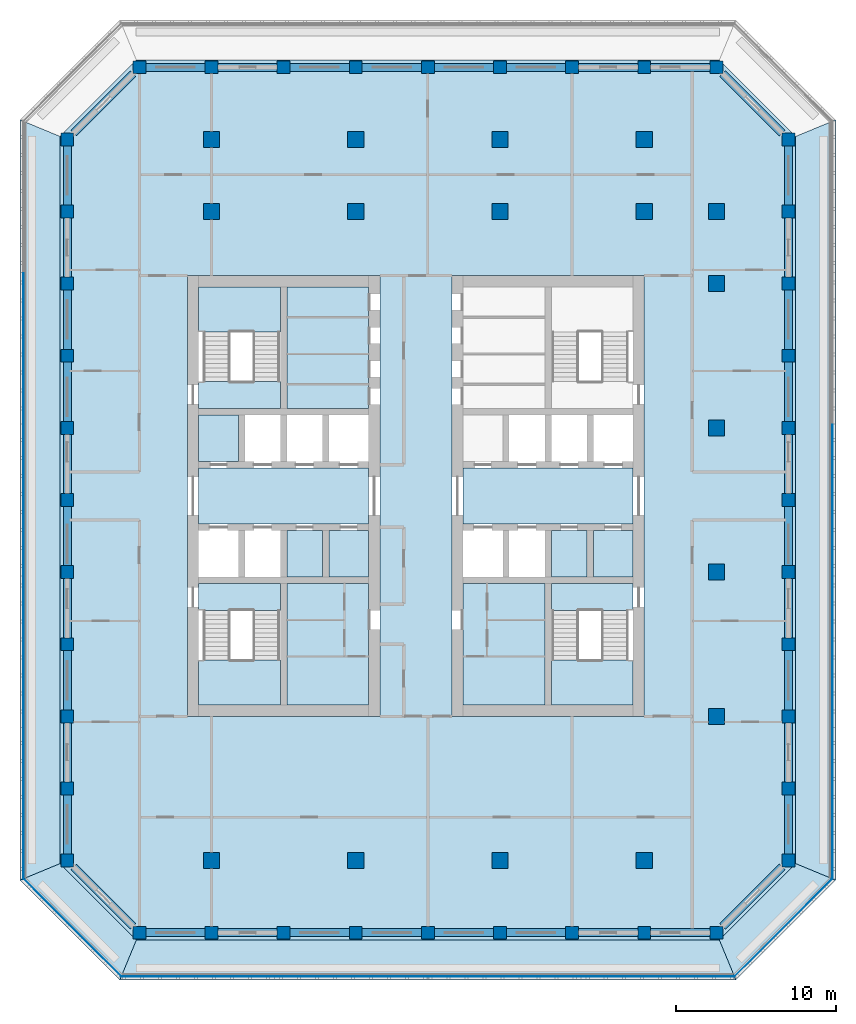
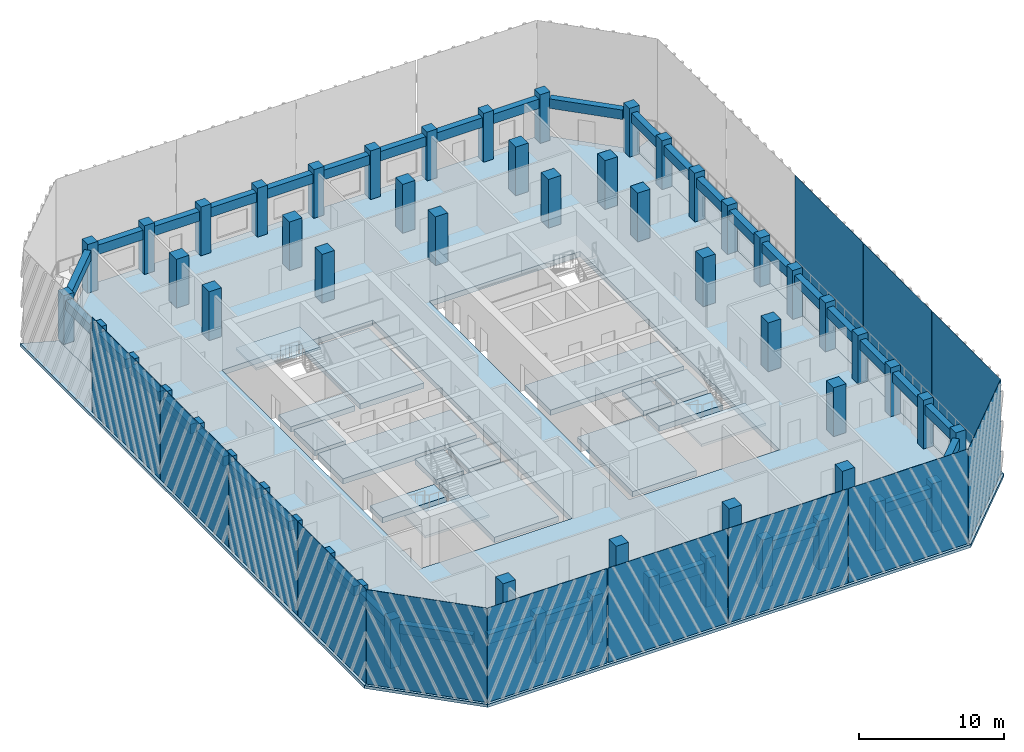
# One storey, part 1 of 17: 57 columns, 40 beams, 22 slabs, 13 plates, 3 elements without a shape of their own.
"""IFC4 building model written with IfcOpenShell, lengths in metres."""

from ifc_helpers import new_model, si_unit, direction, frame, origin, origin_2d, place, context, subcontext, project, spatial, polyline, rectangle, outline, extrude, material, layer, layer_set, material_profile, profile_set, type_object, element, aggregate, save


model = new_model("IFC4")

# Units and contexts
model_context = context("Model", 3, precision=1e-05, world=origin(), true_north=direction((0.0, 1.0)))
body_context = subcontext(model_context, "Body", "Model", "MODEL_VIEW")
ifc_project = project(units=[si_unit("LENGTHUNIT", "METRE"), si_unit("AREAUNIT", "SQUARE_METRE"), si_unit("VOLUMEUNIT", "CUBIC_METRE"), si_unit("PLANEANGLEUNIT", "RADIAN"), si_unit("MASSUNIT", "GRAM", prefix="KILO")], contexts=[model_context])

# Site, building, storey
site_placement = place(None, origin())
site = spatial("IfcSite", under=ifc_project, at=site_placement, CompositionType="ELEMENT")
building_placement = place(site_placement, origin())
building = spatial("IfcBuilding", under=site, at=building_placement, Name="Corbel Stack Research Tower", CompositionType="ELEMENT")
storey_placement = place(building_placement, frame((0.0, 0.0, 239.800048828125)))
storey = spatial("IfcBuildingStorey", under=building, at=storey_placement, Name="L54", CompositionType="ELEMENT", Elevation=239.800048828125)

# Columns
ifc_material_1 = material(Name="Concrete C60/75", Category="concrete")
ifc_material_profile_1 = material_profile(ifc_material_1, rectangle(XDim=1.0, YDim=1.0, at=origin_2d()), Name="RC 1000 x 1000")
ifc_profile_set_1 = profile_set([ifc_material_profile_1], Name="Concrete C60/75")
column_type_1 = type_object("IfcColumnType", Name="C-1000-60", PredefinedType="COLUMN", material=ifc_profile_set_1)
for number, where, z_axis, x_axis, name in (
    (1, (-9.0, -18.0, 0.0), (0.0, 0.0, 1.0), (1.0, 0.0, 0.0), "Column 6/D L54"),
    (2, (-9.0, 22.5, 0.0), (0.0, 0.0, 1.0), (1.0, 0.0, 0.0), "Column 6/N L54"),
    (3, (-9.0, 27.0, 0.0), (0.0, 0.0, 1.0), (1.0, 0.0, 0.0), "Column 6/P L54"),
    (4, (0.0, -18.0, 0.0), (0.0, 0.0, 1.0), (1.0, 0.0, 0.0), "Column 8/D L54"),
    (5, (0.0, 22.5, 0.0), (0.0, 0.0, 1.0), (1.0, 0.0, 0.0), "Column 8/N L54"),
    (6, (0.0, 27.0, 0.0), (0.0, 0.0, 1.0), (1.0, 0.0, 0.0), "Column 8/P L54"),
    (7, (9.0, -18.0, 0.0), (0.0, 0.0, 1.0), (1.0, 0.0, 0.0), "Column 10/D L54"),
    (8, (9.0, 22.5, 0.0), (0.0, 0.0, 1.0), (1.0, 0.0, 0.0), "Column 10/N L54"),
    (9, (9.0, 27.0, 0.0), (0.0, 0.0, 1.0), (1.0, 0.0, 0.0), "Column 10/P L54"),
    (10, (18.0, -18.0, 0.0), (0.0, 0.0, 1.0), (1.0, 0.0, 0.0), "Column 12/D L54"),
    (11, (18.0, 22.5, 0.0), (0.0, 0.0, 1.0), (1.0, 0.0, 0.0), "Column 12/N L54"),
    (12, (18.0, 27.0, 0.0), (0.0, 0.0, 1.0), (1.0, 0.0, 0.0), "Column 12/P L54"),
    (13, (22.5, -9.0, 0.0), (0.0, 0.0, 1.0), (1.0, 0.0, 0.0), "Column 13/F L54"),
    (14, (22.5, 0.0, 0.0), (0.0, 0.0, 1.0), (1.0, 0.0, 0.0), "Column 13/H L54"),
    (15, (22.5, 9.0, 0.0), (0.0, 0.0, 1.0), (1.0, 0.0, 0.0), "Column 13/K L54"),
    (16, (22.5, 18.0, 0.0), (0.0, 0.0, 1.0), (1.0, 0.0, 0.0), "Column 13/M L54"),
    (17, (22.5, 22.5, 0.0), (0.0, 0.0, 1.0), (1.0, 0.0, 0.0), "Column 13/N L54"),
):
    element("IfcColumn", number, at=place(storey_placement, frame(where, z_axis=z_axis, x_axis=x_axis)), inside=storey, type_object=column_type_1, Name=name, PredefinedType="COLUMN", context=body_context, shape_type="SweptSolid", body=[
        extrude(rectangle(XDim=1.0, YDim=1.0, at=origin_2d()), origin(), (0.0, 0.0, 1.0), 4.099853515625),
    ])
ifc_material_2 = material(Name="Concrete C60/75", Category="concrete")
ifc_material_profile_2 = material_profile(ifc_material_2, rectangle(XDim=0.800048828125, YDim=0.800048828125, at=origin_2d()), Name="RC 800 x 800")
ifc_profile_set_2 = profile_set([ifc_material_profile_2], Name="Concrete C60/75")
column_type_2 = type_object("IfcColumnType", Name="C-800-60", PredefinedType="COLUMN", material=ifc_profile_set_2)
for number, where, z_axis, x_axis, name in (
    (18, (-18.0, -18.0, 0.0), (0.0, 0.0, 1.0), (1.0, 0.0, 0.0), "Column 4/D L54"),
    (19, (-18.0, -13.5, 0.0), (0.0, 0.0, 1.0), (1.0, 0.0, 0.0), "Column 4/E L54"),
    (20, (-18.0, -9.0, 0.0), (0.0, 0.0, 1.0), (1.0, 0.0, 0.0), "Column 4/F L54"),
    (21, (-18.0, -4.5, 0.0), (0.0, 0.0, 1.0), (1.0, 0.0, 0.0), "Column 4/G L54"),
    (22, (-18.0, 0.0, 0.0), (0.0, 0.0, 1.0), (1.0, 0.0, 0.0), "Column 4/H L54"),
    (23, (-18.0, 4.5, 0.0), (0.0, 0.0, 1.0), (1.0, 0.0, 0.0), "Column 4/J L54"),
    (24, (-18.0, 9.0, 0.0), (0.0, 0.0, 1.0), (1.0, 0.0, 0.0), "Column 4/K L54"),
    (25, (-18.0, 13.5, 0.0), (0.0, 0.0, 1.0), (1.0, 0.0, 0.0), "Column 4/L L54"),
    (26, (-18.0, 18.0, 0.0), (0.0, 0.0, 1.0), (1.0, 0.0, 0.0), "Column 4/M L54"),
    (27, (-18.0, 22.5, 0.0), (0.0, 0.0, 1.0), (1.0, 0.0, 0.0), "Column 4/N L54"),
    (28, (-18.0, 27.0, 0.0), (0.0, 0.0, 1.0), (1.0, 0.0, 0.0), "Column 4/P L54"),
    (29, (-13.5, -22.5, 0.0), (0.0, 0.0, 1.0), (1.0, 0.0, 0.0), "Column 5/C L54"),
    (30, (-13.5, 31.5, 0.0), (0.0, 0.0, 1.0), (1.0, 0.0, 0.0), "Column 5/Q L54"),
    (31, (-9.0, -22.5, 0.0), (0.0, 0.0, 1.0), (1.0, 0.0, 0.0), "Column 6/C L54"),
    (32, (-9.0, 31.5, 0.0), (0.0, 0.0, 1.0), (1.0, 0.0, 0.0), "Column 6/Q L54"),
    (33, (-4.5, -22.5, 0.0), (0.0, 0.0, 1.0), (1.0, 0.0, 0.0), "Column 7/C L54"),
    (34, (-4.5, 31.5, 0.0), (0.0, 0.0, 1.0), (1.0, 0.0, 0.0), "Column 7/Q L54"),
    (35, (0.0, -22.5, 0.0), (0.0, 0.0, 1.0), (1.0, 0.0, 0.0), "Column 8/C L54"),
    (36, (0.0, 31.5, 0.0), (0.0, 0.0, 1.0), (1.0, 0.0, 0.0), "Column 8/Q L54"),
    (37, (4.5, -22.5, 0.0), (0.0, 0.0, 1.0), (1.0, 0.0, 0.0), "Column 9/C L54"),
    (38, (4.5, 31.5, 0.0), (0.0, 0.0, 1.0), (1.0, 0.0, 0.0), "Column 9/Q L54"),
    (39, (9.0, -22.5, 0.0), (0.0, 0.0, 1.0), (1.0, 0.0, 0.0), "Column 10/C L54"),
    (40, (9.0, 31.5, 0.0), (0.0, 0.0, 1.0), (1.0, 0.0, 0.0), "Column 10/Q L54"),
    (41, (13.5, -22.5, 0.0), (0.0, 0.0, 1.0), (1.0, 0.0, 0.0), "Column 11/C L54"),
    (42, (13.5, 31.5, 0.0), (0.0, 0.0, 1.0), (1.0, 0.0, 0.0), "Column 11/Q L54"),
    (43, (18.0, -22.5, 0.0), (0.0, 0.0, 1.0), (1.0, 0.0, 0.0), "Column 12/C L54"),
    (44, (18.0, 31.5, 0.0), (0.0, 0.0, 1.0), (1.0, 0.0, 0.0), "Column 12/Q L54"),
    (45, (22.5, -22.5, 0.0), (0.0, 0.0, 1.0), (1.0, 0.0, 0.0), "Column 13/C L54"),
    (46, (22.5, 31.5, 0.0), (0.0, 0.0, 1.0), (1.0, 0.0, 0.0), "Column 13/Q L54"),
    (47, (27.0, -18.0, 0.0), (0.0, 0.0, 1.0), (1.0, 0.0, 0.0), "Column 14/D L54"),
    (48, (27.0, -13.5, 0.0), (0.0, 0.0, 1.0), (1.0, 0.0, 0.0), "Column 14/E L54"),
    (49, (27.0, -9.0, 0.0), (0.0, 0.0, 1.0), (1.0, 0.0, 0.0), "Column 14/F L54"),
    (50, (27.0, -4.5, 0.0), (0.0, 0.0, 1.0), (1.0, 0.0, 0.0), "Column 14/G L54"),
    (51, (27.0, 0.0, 0.0), (0.0, 0.0, 1.0), (1.0, 0.0, 0.0), "Column 14/H L54"),
    (52, (27.0, 4.5, 0.0), (0.0, 0.0, 1.0), (1.0, 0.0, 0.0), "Column 14/J L54"),
    (53, (27.0, 9.0, 0.0), (0.0, 0.0, 1.0), (1.0, 0.0, 0.0), "Column 14/K L54"),
    (54, (27.0, 13.5, 0.0), (0.0, 0.0, 1.0), (1.0, 0.0, 0.0), "Column 14/L L54"),
    (55, (27.0, 18.0, 0.0), (0.0, 0.0, 1.0), (1.0, 0.0, 0.0), "Column 14/M L54"),
    (56, (27.0, 22.5, 0.0), (0.0, 0.0, 1.0), (1.0, 0.0, 0.0), "Column 14/N L54"),
    (57, (27.0, 27.0, 0.0), (0.0, 0.0, 1.0), (1.0, 0.0, 0.0), "Column 14/P L54"),
):
    element("IfcColumn", number, at=place(storey_placement, frame(where, z_axis=z_axis, x_axis=x_axis)), inside=storey, type_object=column_type_2, Name=name, PredefinedType="COLUMN", context=body_context, shape_type="SweptSolid", body=[
        extrude(rectangle(XDim=0.800048828125, YDim=0.800048828125, at=origin_2d()), origin(), (0.0, 0.0, 1.0), 4.099853515625),
    ])

# Beams
ifc_material_3 = material(Name="Concrete C60/75", Category="concrete")
ifc_material_profile_3 = material_profile(ifc_material_3, rectangle(XDim=0.5, YDim=0.800048828125, at=origin_2d()), Name="RC 500 x 800")
ifc_profile_set_3 = profile_set([ifc_material_profile_3], Name="Concrete C60/75")
beam_type = type_object("IfcBeamType", Name="SB-500-800-450", PredefinedType="SPANDREL", material=ifc_profile_set_3)
for number, where, z_axis, x_axis, name in (
    (58, (-13.10009765625, -22.5, 3.25), (1.0, 0.0, 0.0), (0.0, 1.0, 0.0), "Spandrel beam L54-01"),
    (59, (-8.60009765625, -22.5, 3.25), (1.0, 0.0, 0.0), (0.0, 1.0, 0.0), "Spandrel beam L54-02"),
    (60, (-4.10009765625, -22.5, 3.25), (1.0, 0.0, 0.0), (0.0, 1.0, 0.0), "Spandrel beam L54-03"),
    (61, (0.39990234375, -22.5, 3.25), (1.0, 0.0, 0.0), (0.0, 1.0, 0.0), "Spandrel beam L54-04"),
    (62, (4.89990234375, -22.5, 3.25), (1.0, 0.0, 0.0), (0.0, 1.0, 0.0), "Spandrel beam L54-05"),
    (63, (9.39990234375, -22.5, 3.25), (1.0, 0.0, 0.0), (0.0, 1.0, 0.0), "Spandrel beam L54-06"),
    (64, (13.89990234375, -22.5, 3.25), (1.0, 0.0, 0.0), (0.0, 1.0, 0.0), "Spandrel beam L54-07"),
    (65, (18.39990234375, -22.5, 3.25), (1.0, 0.0, 0.0), (0.0, 1.0, 0.0), "Spandrel beam L54-08"),
):
    element("IfcBeam", number, at=place(storey_placement, frame(where, z_axis=z_axis, x_axis=x_axis)), inside=storey, type_object=beam_type, Name=name, PredefinedType="SPANDREL", context=body_context, shape_type="SweptSolid", body=[
        extrude(rectangle(XDim=0.5, YDim=0.800048828125, at=origin_2d()), origin(), (0.0, 0.0, 1.0), 3.7001953125),
    ])
beam_1_placement = place(storey_placement, frame((22.89990234375, -22.10009765625, 3.25), z_axis=(0.707106781187, 0.707106781187, 0.0), x_axis=(-0.707106781187, 0.707106781187, 0.0)))
element("IfcBeam", 66, at=beam_1_placement, inside=storey, type_object=beam_type, Name="Spandrel beam L54-09", PredefinedType="SPANDREL", context=body_context, shape_type="SweptSolid", body=[
    extrude(rectangle(XDim=0.5, YDim=0.800048828125, at=origin_2d()), origin(), (0.0, 0.0, 1.0), 5.23291015625),
])
for number, where, z_axis, x_axis, name in (
    (67, (27.0, -17.60009765625, 3.25), (0.0, 1.0, 0.0), (-1.0, 0.0, 0.0), "Spandrel beam L54-10"),
    (68, (27.0, -13.10009765625, 3.25), (0.0, 1.0, 0.0), (-1.0, 0.0, 0.0), "Spandrel beam L54-11"),
    (69, (27.0, -8.60009765625, 3.25), (0.0, 1.0, 0.0), (-1.0, 0.0, 0.0), "Spandrel beam L54-12"),
    (70, (27.0, -4.10009765625, 3.25), (0.0, 1.0, 0.0), (-1.0, 0.0, 0.0), "Spandrel beam L54-13"),
    (71, (27.0, 0.39990234375, 3.25), (0.0, 1.0, 0.0), (-1.0, 0.0, 0.0), "Spandrel beam L54-14"),
    (72, (27.0, 4.89990234375, 3.25), (0.0, 1.0, 0.0), (-1.0, 0.0, 0.0), "Spandrel beam L54-15"),
    (73, (27.0, 9.39990234375, 3.25), (0.0, 1.0, 0.0), (-1.0, 0.0, 0.0), "Spandrel beam L54-16"),
    (74, (27.0, 13.89990234375, 3.25), (0.0, 1.0, 0.0), (-1.0, 0.0, 0.0), "Spandrel beam L54-17"),
    (75, (27.0, 18.39990234375, 3.25), (0.0, 1.0, 0.0), (-1.0, 0.0, 0.0), "Spandrel beam L54-18"),
    (76, (27.0, 22.89990234375, 3.25), (0.0, 1.0, 0.0), (-1.0, 0.0, 0.0), "Spandrel beam L54-19"),
):
    element("IfcBeam", number, at=place(storey_placement, frame(where, z_axis=z_axis, x_axis=x_axis)), inside=storey, type_object=beam_type, Name=name, PredefinedType="SPANDREL", context=body_context, shape_type="SweptSolid", body=[
        extrude(rectangle(XDim=0.5, YDim=0.800048828125, at=origin_2d()), origin(), (0.0, 0.0, 1.0), 3.7001953125),
    ])
beam_2_placement = place(storey_placement, frame((26.60009765625, 27.39990234375, 3.25), z_axis=(-0.707106781187, 0.707106781187, 0.0), x_axis=(-0.707106781187, -0.707106781187, 0.0)))
element("IfcBeam", 77, at=beam_2_placement, inside=storey, type_object=beam_type, Name="Spandrel beam L54-20", PredefinedType="SPANDREL", context=body_context, shape_type="SweptSolid", body=[
    extrude(rectangle(XDim=0.5, YDim=0.800048828125, at=origin_2d()), origin(), (0.0, 0.0, 1.0), 5.23291015625),
])
for number, where, z_axis, x_axis, name in (
    (78, (22.10009765625, 31.5, 3.25), (-1.0, 0.0, 0.0), (0.0, -1.0, 0.0), "Spandrel beam L54-21"),
    (79, (17.60009765625, 31.5, 3.25), (-1.0, 0.0, 0.0), (0.0, -1.0, 0.0), "Spandrel beam L54-22"),
    (80, (13.10009765625, 31.5, 3.25), (-1.0, 0.0, 0.0), (0.0, -1.0, 0.0), "Spandrel beam L54-23"),
    (81, (8.60009765625, 31.5, 3.25), (-1.0, 0.0, 0.0), (0.0, -1.0, 0.0), "Spandrel beam L54-24"),
    (82, (4.10009765625, 31.5, 3.25), (-1.0, 0.0, 0.0), (0.0, -1.0, 0.0), "Spandrel beam L54-25"),
    (83, (-0.39990234375, 31.5, 3.25), (-1.0, 0.0, 0.0), (0.0, -1.0, 0.0), "Spandrel beam L54-26"),
    (84, (-4.89990234375, 31.5, 3.25), (-1.0, 0.0, 0.0), (0.0, -1.0, 0.0), "Spandrel beam L54-27"),
    (85, (-9.39990234375, 31.5, 3.25), (-1.0, 0.0, 0.0), (0.0, -1.0, 0.0), "Spandrel beam L54-28"),
):
    element("IfcBeam", number, at=place(storey_placement, frame(where, z_axis=z_axis, x_axis=x_axis)), inside=storey, type_object=beam_type, Name=name, PredefinedType="SPANDREL", context=body_context, shape_type="SweptSolid", body=[
        extrude(rectangle(XDim=0.5, YDim=0.800048828125, at=origin_2d()), origin(), (0.0, 0.0, 1.0), 3.7001953125),
    ])
beam_3_placement = place(storey_placement, frame((-13.89990234375, 31.10009765625, 3.25), z_axis=(-0.707106781187, -0.707106781187, 0.0), x_axis=(0.707106781187, -0.707106781187, 0.0)))
element("IfcBeam", 86, at=beam_3_placement, inside=storey, type_object=beam_type, Name="Spandrel beam L54-29", PredefinedType="SPANDREL", context=body_context, shape_type="SweptSolid", body=[
    extrude(rectangle(XDim=0.5, YDim=0.800048828125, at=origin_2d()), origin(), (0.0, 0.0, 1.0), 5.23291015625),
])
for number, where, z_axis, x_axis, name in (
    (87, (-18.0, 26.60009765625, 3.25), (0.0, -1.0, 0.0), (1.0, 0.0, 0.0), "Spandrel beam L54-30"),
    (88, (-18.0, 22.10009765625, 3.25), (0.0, -1.0, 0.0), (1.0, 0.0, 0.0), "Spandrel beam L54-31"),
    (89, (-18.0, 17.60009765625, 3.25), (0.0, -1.0, 0.0), (1.0, 0.0, 0.0), "Spandrel beam L54-32"),
    (90, (-18.0, 13.10009765625, 3.25), (0.0, -1.0, 0.0), (1.0, 0.0, 0.0), "Spandrel beam L54-33"),
    (91, (-18.0, 8.60009765625, 3.25), (0.0, -1.0, 0.0), (1.0, 0.0, 0.0), "Spandrel beam L54-34"),
    (92, (-18.0, 4.10009765625, 3.25), (0.0, -1.0, 0.0), (1.0, 0.0, 0.0), "Spandrel beam L54-35"),
    (93, (-18.0, -0.39990234375, 3.25), (0.0, -1.0, 0.0), (1.0, 0.0, 0.0), "Spandrel beam L54-36"),
    (94, (-18.0, -4.89990234375, 3.25), (0.0, -1.0, 0.0), (1.0, 0.0, 0.0), "Spandrel beam L54-37"),
    (95, (-18.0, -9.39990234375, 3.25), (0.0, -1.0, 0.0), (1.0, 0.0, 0.0), "Spandrel beam L54-38"),
    (96, (-18.0, -13.89990234375, 3.25), (0.0, -1.0, 0.0), (1.0, 0.0, 0.0), "Spandrel beam L54-39"),
):
    element("IfcBeam", number, at=place(storey_placement, frame(where, z_axis=z_axis, x_axis=x_axis)), inside=storey, type_object=beam_type, Name=name, PredefinedType="SPANDREL", context=body_context, shape_type="SweptSolid", body=[
        extrude(rectangle(XDim=0.5, YDim=0.800048828125, at=origin_2d()), origin(), (0.0, 0.0, 1.0), 3.7001953125),
    ])
beam_4_placement = place(storey_placement, frame((-17.60009765625, -18.39990234375, 3.25), z_axis=(0.707106781187, -0.707106781187, 0.0), x_axis=(0.707106781187, 0.707106781187, 0.0)))
element("IfcBeam", 97, at=beam_4_placement, inside=storey, type_object=beam_type, Name="Spandrel beam L54-40", PredefinedType="SPANDREL", context=body_context, shape_type="SweptSolid", body=[
    extrude(rectangle(XDim=0.5, YDim=0.800048828125, at=origin_2d()), origin(), (0.0, 0.0, 1.0), 5.23291015625),
])

# Plates
ifc_material_4 = material(Name="Fritted glass", Category="glass")
ifc_layer_1 = layer(ifc_material_4, 0.02490234375)
ifc_layer_set_1 = layer_set([ifc_layer_1], Name="Fritted glass")
plate_type = type_object("IfcPlateType", Name="Fritted glass panel 25", PredefinedType="SHEET", material=ifc_layer_set_1)
for number, where, z_axis, x_axis, name in (
    (98, (-9.854248046875, -25.237548828125, 0.0), (0.0, 0.0, 1.0), (1.0, 0.0, 0.0), "Fritted glass L54 S1"),
    (99, (-0.284912109375, -25.237548828125, 0.0), (0.0, 0.0, 1.0), (1.0, 0.0, 0.0), "Fritted glass L54 S2"),
    (100, (9.284912109375, -25.237548828125, 0.0), (0.0, 0.0, 1.0), (1.0, 0.0, 0.0), "Fritted glass L54 S3"),
    (101, (18.854248046875, -25.237548828125, 0.0), (0.0, 0.0, 1.0), (1.0, 0.0, 0.0), "Fritted glass L54 S4"),
):
    element("IfcPlate", number, at=place(storey_placement, frame(where, z_axis=z_axis, x_axis=x_axis)), inside=storey, type_object=plate_type, Name=name, PredefinedType="SHEET", context=body_context, shape_type="SweptSolid", body=[
        extrude(rectangle(XDim=9.509521484375, YDim=0.02490234375, at=origin_2d()), origin(), (0.0, 0.0, 1.0), 7.949951171875),
    ])
plate_1_placement = place(storey_placement, frame((26.685791015625, -22.185791015625, 0.0), z_axis=(0.0, 0.0, 1.0), x_axis=(0.707106781187, 0.707106781187, 0.0)))
element("IfcPlate", 102, at=plate_1_placement, inside=storey, type_object=plate_type, Name="Fritted glass L54 SE1", PredefinedType="SHEET", context=body_context, shape_type="SweptSolid", body=[
    extrude(rectangle(XDim=8.58203125, YDim=0.02490234375, at=origin_2d()), origin(), (0.0, 0.0, 1.0), 7.949951171875),
])
for number, where, z_axis, x_axis, name in (
    (103, (29.737548828125, -14.411376953125, 0.0), (0.0, 0.0, 1.0), (0.0, 1.0, 0.0), "Fritted glass L54 E1"),
    (104, (29.737548828125, -4.95556640625, 0.0), (0.0, 0.0, 1.0), (0.0, 1.0, 0.0), "Fritted glass L54 E2"),
    (105, (29.737548828125, 4.5, 0.0), (0.0, 0.0, 1.0), (0.0, 1.0, 0.0), "Fritted glass L54 E3"),
    (106, (-20.737548828125, 13.95556640625, 0.0), (0.0, 0.0, 1.0), (0.0, -1.0, 0.0), "Fritted glass L54 W2"),
    (107, (-20.737548828125, 4.5, 0.0), (0.0, 0.0, 1.0), (0.0, -1.0, 0.0), "Fritted glass L54 W3"),
    (108, (-20.737548828125, -4.95556640625, 0.0), (0.0, 0.0, 1.0), (0.0, -1.0, 0.0), "Fritted glass L54 W4"),
    (109, (-20.737548828125, -14.411376953125, 0.0), (0.0, 0.0, 1.0), (0.0, -1.0, 0.0), "Fritted glass L54 W5"),
):
    element("IfcPlate", number, at=place(storey_placement, frame(where, z_axis=z_axis, x_axis=x_axis)), inside=storey, type_object=plate_type, Name=name, PredefinedType="SHEET", context=body_context, shape_type="SweptSolid", body=[
        extrude(rectangle(XDim=9.3955078125, YDim=0.02490234375, at=origin_2d()), origin(), (0.0, 0.0, 1.0), 7.949951171875),
    ])
plate_2_placement = place(storey_placement, frame((-17.685791015625, -22.185791015625, 0.0), z_axis=(0.0, 0.0, 1.0), x_axis=(0.707106781187, -0.707106781187, 0.0)))
element("IfcPlate", 110, at=plate_2_placement, inside=storey, type_object=plate_type, Name="Fritted glass L54 SW1", PredefinedType="SHEET", context=body_context, shape_type="SweptSolid", body=[
    extrude(rectangle(XDim=8.58203125, YDim=0.02490234375, at=origin_2d()), origin(), (0.0, 0.0, 1.0), 7.949951171875),
])

# Slabs
ifc_material_5 = material(Name="Concrete C45/55", Category="concrete")
ifc_layer_2 = layer(ifc_material_5, 0.25)
ifc_layer_set_2 = layer_set([ifc_layer_2], Name="Concrete C45/55")
slab_type_1 = type_object("IfcSlabType", Name="PT balcony slab 250 C45/55", PredefinedType="FLOOR", material=ifc_layer_set_2)
slab_1_placement = place(storey_placement, frame((0.0, 0.0, -0.25)))
element("IfcSlab", 111, at=slab_1_placement, inside=storey, type_object=slab_type_1, Name="Loggia slab L54 S", PredefinedType="FLOOR", context=body_context, shape_type="SweptSolid", body=[
    extrude(outline(polyline([(22.686279296875, -22.949951171875), (-13.686279296875, -22.949951171875), (-14.721923828125, -25.449951171875), (23.721923828125, -25.449951171875), (22.686279296875, -22.949951171875)])), origin(), (0.0, 0.0, 1.0), 0.25),
])
slab_2_placement = place(storey_placement, frame((0.0, 0.0, -0.25)))
element("IfcSlab", 112, at=slab_2_placement, inside=storey, type_object=slab_type_1, Name="Loggia slab L54 SE", PredefinedType="FLOOR", context=body_context, shape_type="SweptSolid", body=[
    extrude(outline(polyline([(27.449951171875, -18.186279296875), (27.39990234375, -18.236328125), (27.39990234375, -18.39990234375), (27.236328125, -18.39990234375), (22.89990234375, -22.736328125), (22.89990234375, -22.89990234375), (22.736328125, -22.89990234375), (22.686279296875, -22.949951171875), (23.721923828125, -25.449951171875), (29.949951171875, -19.221923828125), (27.449951171875, -18.186279296875)])), origin(), (0.0, 0.0, 1.0), 0.25),
])
slab_3_placement = place(storey_placement, frame((0.0, 0.0, -0.25)))
element("IfcSlab", 113, at=slab_3_placement, inside=storey, type_object=slab_type_1, Name="Loggia slab L54 E", PredefinedType="FLOOR", context=body_context, shape_type="SweptSolid", body=[
    extrude(outline(polyline([(27.449951171875, 27.186279296875), (27.449951171875, -18.186279296875), (29.949951171875, -19.221923828125), (29.949951171875, 28.221923828125), (27.449951171875, 27.186279296875)])), origin(), (0.0, 0.0, 1.0), 0.25),
])
slab_4_placement = place(storey_placement, frame((0.0, 0.0, -0.25)))
element("IfcSlab", 114, at=slab_4_placement, inside=storey, type_object=slab_type_1, Name="Loggia slab L54 W", PredefinedType="FLOOR", context=body_context, shape_type="SweptSolid", body=[
    extrude(outline(polyline([(-18.449951171875, -18.186279296875), (-18.449951171875, 27.186279296875), (-20.949951171875, 28.221923828125), (-20.949951171875, -19.221923828125), (-18.449951171875, -18.186279296875)])), origin(), (0.0, 0.0, 1.0), 0.25),
])
slab_5_placement = place(storey_placement, frame((0.0, 0.0, -0.25)))
element("IfcSlab", 115, at=slab_5_placement, inside=storey, type_object=slab_type_1, Name="Loggia slab L54 SW", PredefinedType="FLOOR", context=body_context, shape_type="SweptSolid", body=[
    extrude(outline(polyline([(-13.686279296875, -22.949951171875), (-13.736328125, -22.89990234375), (-13.89990234375, -22.89990234375), (-13.89990234375, -22.736328125), (-18.236328125, -18.39990234375), (-18.39990234375, -18.39990234375), (-18.39990234375, -18.236328125), (-18.449951171875, -18.186279296875), (-20.949951171875, -19.221923828125), (-14.721923828125, -25.449951171875), (-13.686279296875, -22.949951171875)])), origin(), (0.0, 0.0, 1.0), 0.25),
])
ifc_material_6 = material(Name="Concrete C45/55", Category="concrete")
ifc_layer_3 = layer(ifc_material_6, 0.449951171875)
ifc_layer_set_3 = layer_set([ifc_layer_3], Name="Concrete C45/55")
slab_type_2 = type_object("IfcSlabType", Name="PT-450", PredefinedType="FLOOR", material=ifc_layer_set_3)
slab_6_placement = place(storey_placement, frame((0.0, 0.0, -0.449951171875)))
element("IfcSlab", 116, at=slab_6_placement, inside=storey, type_object=slab_type_2, Name="Floor slab L54", PredefinedType="FLOOR", context=body_context, shape_type="SweptSolid", body=[
    extrude(outline(polyline([(-13.686279296875, -22.949951171875), (22.686279296875, -22.949951171875), (27.449951171875, -18.186279296875), (27.449951171875, 27.186279296875), (22.686279296875, 31.949951171875), (-13.686279296875, 31.949951171875), (-18.449951171875, 27.186279296875), (-18.449951171875, -18.186279296875), (-13.686279296875, -22.949951171875)]), holes=[polyline([(22.0, 22.0), (22.0, 23.0), (23.0, 23.0), (23.0, 22.0), (22.0, 22.0)]), polyline([(23.0, 17.5), (22.0, 17.5), (22.0, 18.5), (23.0, 18.5), (23.0, 17.5)]), polyline([(23.0, 8.5), (22.0, 8.5), (22.0, 9.5), (23.0, 9.5), (23.0, 8.5)]), polyline([(22.0, -0.5), (22.0, 0.5), (23.0, 0.5), (23.0, -0.5), (22.0, -0.5)]), polyline([(23.0, -9.5), (22.0, -9.5), (22.0, -8.5), (23.0, -8.5), (23.0, -9.5)]), polyline([(17.5, 26.5), (17.5, 27.5), (18.5, 27.5), (18.5, 26.5), (17.5, 26.5)]), polyline([(18.5, 22.0), (17.5, 22.0), (17.5, 23.0), (18.5, 23.0), (18.5, 22.0)]), polyline([(18.5, -18.5), (17.5, -18.5), (17.5, -17.5), (18.5, -17.5), (18.5, -18.5)]), polyline([(6.0, -9.0), (6.0, 18.5), (18.0, 18.5), (18.0, -9.0), (6.0, -9.0)]), polyline([(9.5, 26.5), (8.5, 26.5), (8.5, 27.5), (9.5, 27.5), (9.5, 26.5)]), polyline([(9.5, 22.0), (8.5, 22.0), (8.5, 23.0), (9.5, 23.0), (9.5, 22.0)]), polyline([(9.5, -18.5), (8.5, -18.5), (8.5, -17.5), (9.5, -17.5), (9.5, -18.5)]), polyline([(1.5, -9.0), (-10.5, -9.0), (-10.5, 18.5), (1.5, 18.5), (1.5, -9.0)]), polyline([(-0.5, 26.5), (-0.5, 27.5), (0.5, 27.5), (0.5, 26.5), (-0.5, 26.5)]), polyline([(0.5, 22.0), (-0.5, 22.0), (-0.5, 23.0), (0.5, 23.0), (0.5, 22.0)]), polyline([(0.5, -18.5), (-0.5, -18.5), (-0.5, -17.5), (0.5, -17.5), (0.5, -18.5)]), polyline([(-9.5, 26.5), (-9.5, 27.5), (-8.5, 27.5), (-8.5, 26.5), (-9.5, 26.5)]), polyline([(-8.5, 22.0), (-9.5, 22.0), (-9.5, 23.0), (-8.5, 23.0), (-8.5, 22.0)]), polyline([(-8.5, -18.5), (-9.5, -18.5), (-9.5, -17.5), (-8.5, -17.5), (-8.5, -18.5)])]), origin(), (0.0, 0.0, 1.0), 0.449951171875),
])
slab_7_placement = place(storey_placement, frame((0.0, 0.0, -0.449951171875)))
element("IfcSlab", 117, at=slab_7_placement, inside=storey, type_object=slab_type_2, Name="West core floor L54", PredefinedType="FLOOR", context=body_context, shape_type="SweptSolid", body=[
    extrude(outline(polyline([(-9.800048828125, 6.5), (-9.800048828125, 3.0), (0.800048828125, 3.0), (0.800048828125, 6.5), (-9.800048828125, 6.5)])), origin(), (0.0, 0.0, 1.0), 0.449951171875),
])
slab_8_placement = place(storey_placement, frame((0.0, 0.0, -0.449951171875)))
element("IfcSlab", 118, at=slab_8_placement, inside=storey, type_object=slab_type_2, Name="West core floor L54", PredefinedType="FLOOR", context=body_context, shape_type="SweptSolid", body=[
    extrude(outline(polyline([(-9.800048828125, 6.89990234375), (-7.324951171875, 6.89990234375), (-7.324951171875, 9.800048828125), (-9.800048828125, 9.800048828125), (-9.800048828125, 6.89990234375)])), origin(), (0.0, 0.0, 1.0), 0.449951171875),
])
slab_9_placement = place(storey_placement, frame((0.0, 0.0, -0.449951171875)))
element("IfcSlab", 119, at=slab_9_placement, inside=storey, type_object=slab_type_2, Name="West core floor L54", PredefinedType="FLOOR", context=body_context, shape_type="SweptSolid", body=[
    extrude(outline(polyline([(-4.300048828125, -0.699951171875), (-4.300048828125, -8.300048828125), (0.800048828125, -8.300048828125), (0.800048828125, -0.699951171875), (-4.300048828125, -0.699951171875)])), origin(), (0.0, 0.0, 1.0), 0.449951171875),
])
slab_10_placement = place(storey_placement, frame((0.0, 0.0, -0.449951171875)))
element("IfcSlab", 120, at=slab_10_placement, inside=storey, type_object=slab_type_2, Name="West core floor L54", PredefinedType="FLOOR", context=body_context, shape_type="SweptSolid", body=[
    extrude(outline(polyline([(-4.300048828125, 2.60009765625), (-4.300048828125, -0.300048828125), (-2.074951171875, -0.300048828125), (-2.074951171875, 2.60009765625), (-4.300048828125, 2.60009765625)])), origin(), (0.0, 0.0, 1.0), 0.449951171875),
])
slab_11_placement = place(storey_placement, frame((0.0, 0.0, -0.449951171875)))
element("IfcSlab", 121, at=slab_11_placement, inside=storey, type_object=slab_type_2, Name="West core floor L54", PredefinedType="FLOOR", context=body_context, shape_type="SweptSolid", body=[
    extrude(outline(polyline([(-4.300048828125, 17.800048828125), (-4.300048828125, 10.199951171875), (0.800048828125, 10.199951171875), (0.800048828125, 17.800048828125), (-4.300048828125, 17.800048828125)])), origin(), (0.0, 0.0, 1.0), 0.449951171875),
])
slab_12_placement = place(storey_placement, frame((0.0, 0.0, -0.449951171875)))
element("IfcSlab", 122, at=slab_12_placement, inside=storey, type_object=slab_type_2, Name="West core floor L54", PredefinedType="FLOOR", context=body_context, shape_type="SweptSolid", body=[
    extrude(outline(polyline([(-1.675048828125, 2.60009765625), (-1.675048828125, -0.300048828125), (0.800048828125, -0.300048828125), (0.800048828125, 2.60009765625), (-1.675048828125, 2.60009765625)])), origin(), (0.0, 0.0, 1.0), 0.449951171875),
])
slab_13_placement = place(storey_placement, frame((0.0, 0.0, -0.449951171875)))
element("IfcSlab", 123, at=slab_13_placement, inside=storey, type_object=slab_type_2, Name="East core floor L54", PredefinedType="FLOOR", context=body_context, shape_type="SweptSolid", body=[
    extrude(outline(polyline([(6.699951171875, -8.300048828125), (11.800048828125, -8.300048828125), (11.800048828125, -0.699951171875), (6.699951171875, -0.699951171875), (6.699951171875, -8.300048828125)])), origin(), (0.0, 0.0, 1.0), 0.449951171875),
])
slab_14_placement = place(storey_placement, frame((0.0, 0.0, -0.449951171875)))
element("IfcSlab", 124, at=slab_14_placement, inside=storey, type_object=slab_type_2, Name="East core floor L54", PredefinedType="FLOOR", context=body_context, shape_type="SweptSolid", body=[
    extrude(outline(polyline([(6.699951171875, 3.0), (17.300048828125, 3.0), (17.300048828125, 6.5), (6.699951171875, 6.5), (6.699951171875, 3.0)])), origin(), (0.0, 0.0, 1.0), 0.449951171875),
])
slab_15_placement = place(storey_placement, frame((0.0, 0.0, -0.449951171875)))
element("IfcSlab", 125, at=slab_15_placement, inside=storey, type_object=slab_type_2, Name="East core floor L54", PredefinedType="FLOOR", context=body_context, shape_type="SweptSolid", body=[
    extrude(outline(polyline([(12.199951171875, 2.60009765625), (12.199951171875, -0.300048828125), (14.425048828125, -0.300048828125), (14.425048828125, 2.60009765625), (12.199951171875, 2.60009765625)])), origin(), (0.0, 0.0, 1.0), 0.449951171875),
])
slab_16_placement = place(storey_placement, frame((0.0, 0.0, -0.449951171875)))
element("IfcSlab", 126, at=slab_16_placement, inside=storey, type_object=slab_type_2, Name="East core floor L54", PredefinedType="FLOOR", context=body_context, shape_type="SweptSolid", body=[
    extrude(outline(polyline([(14.824951171875, 2.60009765625), (14.824951171875, -0.300048828125), (17.300048828125, -0.300048828125), (17.300048828125, 2.60009765625), (14.824951171875, 2.60009765625)])), origin(), (0.0, 0.0, 1.0), 0.449951171875),
])
slab_17_placement = place(storey_placement, frame((0.0, 0.0, -0.449951171875)))
element("IfcSlab", 127, at=slab_17_placement, inside=storey, type_object=slab_type_2, Name="Stair floor landing ST-W1", PredefinedType="FLOOR", context=body_context, shape_type="SweptSolid", body=[
    extrude(outline(polyline([(-9.800048828125, -2.39990234375), (-4.699951171875, -2.39990234375), (-4.699951171875, -0.699951171875), (-9.800048828125, -0.699951171875), (-9.800048828125, -2.39990234375)])), origin(), (0.0, 0.0, 1.0), 0.449951171875),
])
slab_18_placement = place(storey_placement, frame((0.0, 0.0, -0.449951171875)))
element("IfcSlab", 128, at=slab_18_placement, inside=storey, type_object=slab_type_2, Name="Stair floor landing ST-W2", PredefinedType="FLOOR", context=body_context, shape_type="SweptSolid", body=[
    extrude(outline(polyline([(-9.800048828125, 10.199951171875), (-4.699951171875, 10.199951171875), (-4.699951171875, 11.89990234375), (-9.800048828125, 11.89990234375), (-9.800048828125, 10.199951171875)])), origin(), (0.0, 0.0, 1.0), 0.449951171875),
])
slab_19_placement = place(storey_placement, frame((0.0, 0.0, -0.449951171875)))
element("IfcSlab", 129, at=slab_19_placement, inside=storey, type_object=slab_type_2, Name="Stair floor landing ST-E1", PredefinedType="FLOOR", context=body_context, shape_type="SweptSolid", body=[
    extrude(outline(polyline([(12.199951171875, -2.39990234375), (17.300048828125, -2.39990234375), (17.300048828125, -0.699951171875), (12.199951171875, -0.699951171875), (12.199951171875, -2.39990234375)])), origin(), (0.0, 0.0, 1.0), 0.449951171875),
])

# Stair, slab
ifc_material_7 = material(Name="Concrete C40/50", Category="concrete")
stair_type = type_object("IfcStairType", Name="Exit stair 24 risers", PredefinedType="HALF_TURN_STAIR", material=ifc_material_7)
stair_1_placement = place(storey_placement, origin())
stair_1 = element("IfcStair", 130, at=stair_1_placement, inside=storey, type_object=stair_type, Name="L54 Exit stair ST-W1", PredefinedType="HALF_TURN_STAIR")
ifc_material_8 = material(Name="Concrete C40/50", Category="concrete")
ifc_layer_4 = layer(ifc_material_8, 0.199951171875)
ifc_layer_set_4 = layer_set([ifc_layer_4], Name="Concrete C40/50")
slab_type_3 = type_object("IfcSlabType", Name="Stair landing 200 C40/50", PredefinedType="LANDING", material=ifc_layer_set_4)
slab_20_placement = place(storey_placement, frame((0.0, 0.0, 1.849853515625)))
slab_20 = element("IfcSlab", 131, at=slab_20_placement, type_object=slab_type_3, Name="ST-W1 landing 1", PredefinedType="LANDING", context=body_context, shape_type="SweptSolid", body=[
    extrude(outline(polyline([(-9.800048828125, -8.300048828125), (-9.800048828125, -5.47998046875), (-4.699951171875, -5.47998046875), (-4.699951171875, -8.300048828125), (-9.800048828125, -8.300048828125)])), origin(), (0.0, 0.0, 1.0), 0.2001953125),
])
aggregate(stair_1, [slab_20])

stair_2_placement = place(storey_placement, origin())
stair_2 = element("IfcStair", 132, at=stair_2_placement, inside=storey, type_object=stair_type, Name="L54 Exit stair ST-W2", PredefinedType="HALF_TURN_STAIR")
slab_21_placement = place(storey_placement, frame((0.0, 0.0, 1.849853515625)))
slab_21 = element("IfcSlab", 133, at=slab_21_placement, type_object=slab_type_3, Name="ST-W2 landing 1", PredefinedType="LANDING", context=body_context, shape_type="SweptSolid", body=[
    extrude(outline(polyline([(-9.800048828125, 14.97998046875), (-9.800048828125, 17.800048828125), (-4.699951171875, 17.800048828125), (-4.699951171875, 14.97998046875), (-9.800048828125, 14.97998046875)])), origin(), (0.0, 0.0, 1.0), 0.2001953125),
])
aggregate(stair_2, [slab_21])

stair_3_placement = place(storey_placement, origin())
stair_3 = element("IfcStair", 134, at=stair_3_placement, inside=storey, type_object=stair_type, Name="L54 Exit stair ST-E1", PredefinedType="HALF_TURN_STAIR")
slab_22_placement = place(storey_placement, frame((0.0, 0.0, 1.849853515625)))
slab_22 = element("IfcSlab", 135, at=slab_22_placement, type_object=slab_type_3, Name="ST-E1 landing 1", PredefinedType="LANDING", context=body_context, shape_type="SweptSolid", body=[
    extrude(outline(polyline([(12.199951171875, -8.300048828125), (12.199951171875, -5.47998046875), (17.300048828125, -5.47998046875), (17.300048828125, -8.300048828125), (12.199951171875, -8.300048828125)])), origin(), (0.0, 0.0, 1.0), 0.2001953125),
])
aggregate(stair_3, [slab_22])

save(model, "model.ifc")
